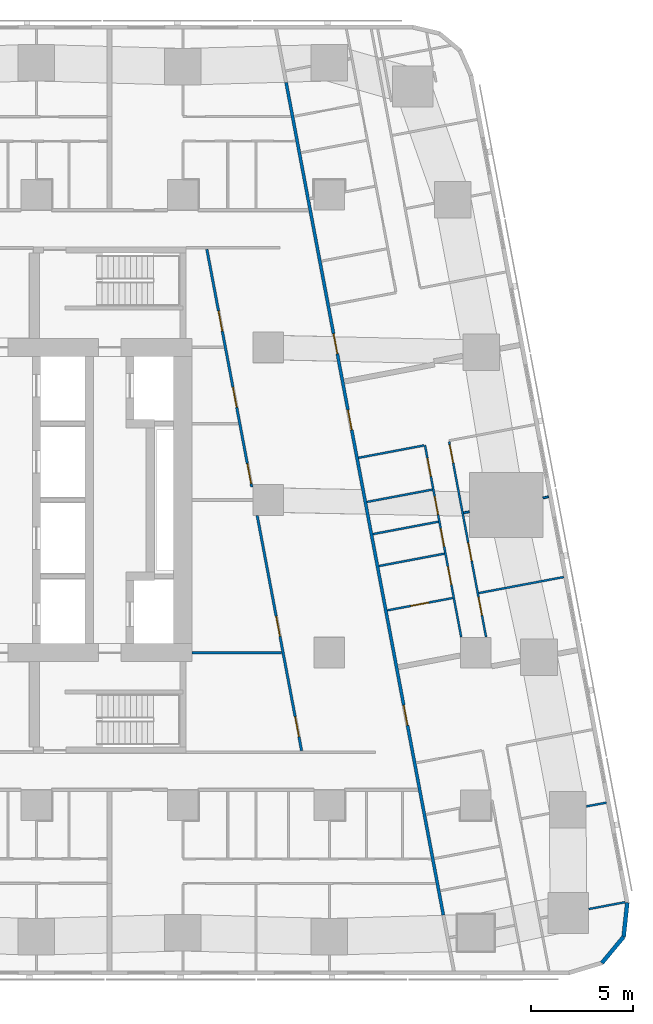
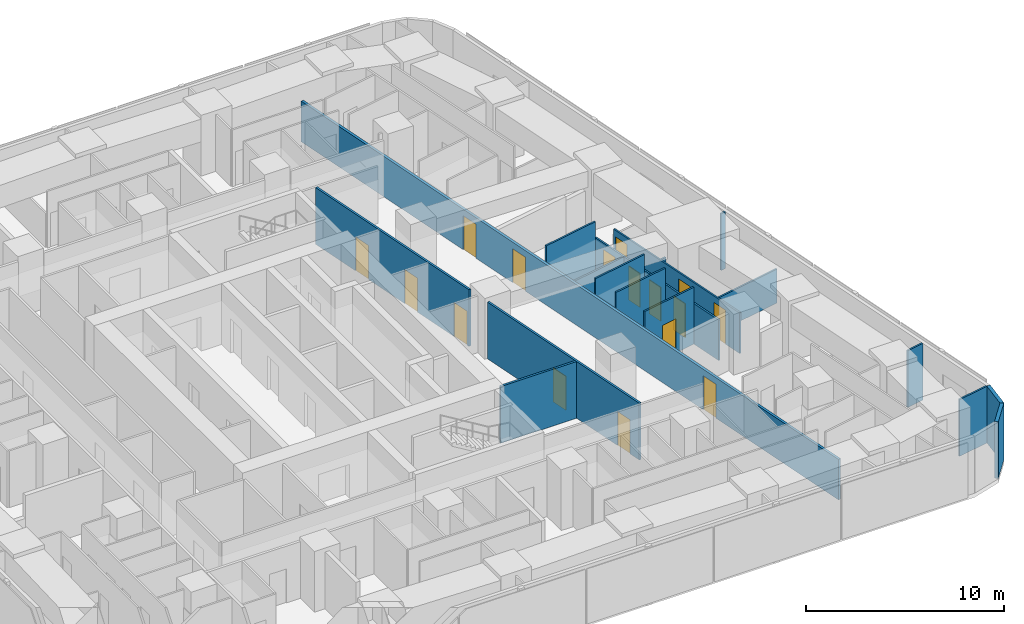
# One storey, part 7 of 15: 18 walls, 16 doors, 16 openings.
"""IFC4 building model written with IfcOpenShell, lengths in metres."""

from ifc_helpers import new_model, si_unit, direction, frame, frame_2d, origin, place, context, subcontext, project, spatial, rectangle, extrude, material, layer, layer_set, type_object, element, fill, save


model = new_model("IFC4")

# Units and contexts
model_context = context("Model", 3, precision=1e-05, world=origin(), true_north=direction((0.0, 1.0)))
body_context = subcontext(model_context, "Body", "Model", "MODEL_VIEW")
ifc_project = project(units=[si_unit("LENGTHUNIT", "METRE"), si_unit("AREAUNIT", "SQUARE_METRE"), si_unit("VOLUMEUNIT", "CUBIC_METRE"), si_unit("PLANEANGLEUNIT", "RADIAN"), si_unit("MASSUNIT", "GRAM", prefix="KILO")], contexts=[model_context])

# Site, building, storey
site_placement = place(None, origin())
site = spatial("IfcSite", under=ifc_project, at=site_placement, CompositionType="ELEMENT")
building_placement = place(site_placement, origin())
building = spatial("IfcBuilding", under=site, at=building_placement, Name="Sheger Commons Tower", CompositionType="ELEMENT")
storey_placement = place(building_placement, frame((0.0, 0.0, 154.550048828125)))
storey = spatial("IfcBuildingStorey", under=building, at=storey_placement, Name="L39", CompositionType="ELEMENT", Elevation=154.550048828125)

# Wall, openings, doors
ifc_material_1 = material(Name="Hollow concrete block masonry, skimmed both sides", Category="masonry")
ifc_layer_1 = layer(ifc_material_1, 0.14990234375)
ifc_layer_set_1 = layer_set([ifc_layer_1], Name="CORRIDOR WALL 150")
wall_type_1 = type_object("IfcWallType", Name="CORRIDOR WALL 150", PredefinedType="SOLIDWALL", material=ifc_layer_set_1)
wall_1_placement = place(storey_placement, frame((33.876953125, 43.029052734375, 0.0), z_axis=(0.0, 0.0, 1.0), x_axis=(0.185596841028, -0.98262597798, 0.0)))
wall_1 = element("IfcWall", 1, at=wall_1_placement, inside=storey, type_object=wall_type_1, Name="Corridor wall L39", PredefinedType="SOLIDWALL", context=body_context, shape_type="SweptSolid", body=[
    extrude(rectangle(XDim=41.659912109375, YDim=0.14990234375, at=frame_2d((20.830078125, 0.0))), origin(), (0.0, 0.0, 1.0), 2.5),
])
opening_1_placement = place(wall_1_placement, frame((12.570068359375, 0.0, 0.0)))
opening_1 = element("IfcOpeningElement", 2, at=opening_1_placement, cuts=wall_1, Name="Opening D1", PredefinedType="OPENING", context=body_context, shape_type="SweptSolid", body=[
    extrude(rectangle(XDim=1.0, YDim=2.10009765625, at=frame_2d((0.5, 1.050048828125))), frame((0.0, 0.0849609375, 0.0), z_axis=(0.0, -1.0, 0.0), x_axis=(1.0, 0.0, 0.0)), (0.0, 0.0, 1.0), 0.169921875),
])
opening_2_placement = place(wall_1_placement, frame((16.385986328125, 0.0, 0.0)))
opening_2 = element("IfcOpeningElement", 3, at=opening_2_placement, cuts=wall_1, Name="Opening D1", PredefinedType="OPENING", context=body_context, shape_type="SweptSolid", body=[
    extrude(rectangle(XDim=1.0, YDim=2.10009765625, at=frame_2d((0.5, 1.050048828125))), frame((0.0, 0.0849609375, 0.0), z_axis=(0.0, -1.0, 0.0), x_axis=(1.0, 0.0, 0.0)), (0.0, 0.0, 1.0), 0.169921875),
])
opening_3_placement = place(wall_1_placement, frame((31.166015625, 0.0, 0.0)))
opening_3 = element("IfcOpeningElement", 4, at=opening_3_placement, cuts=wall_1, Name="Opening D1", PredefinedType="OPENING", context=body_context, shape_type="SweptSolid", body=[
    extrude(rectangle(XDim=1.0, YDim=2.10009765625, at=frame_2d((0.5, 1.050048828125))), frame((0.0, 0.0849609375, 0.0), z_axis=(0.0, -1.0, 0.0), x_axis=(1.0, 0.0, 0.0)), (0.0, 0.0, 1.0), 0.169921875),
])
ifc_material_2 = material(Name="Steel door set, fire rated", Category="steel")
door_type_1 = type_object("IfcDoorType", Name="FLAT ENTRANCE DOOR 1000x2100", OperationType="NOTDEFINED", PredefinedType="DOOR", material=ifc_material_2)
door_1_placement = place(opening_1_placement, origin())
door_1 = element("IfcDoor", 5, at=door_1_placement, inside=storey, type_object=door_type_1, Name="Flat entrance door", OperationType="SINGLE_SWING_RIGHT", OverallHeight=2.10009765625, OverallWidth=1.0, PredefinedType="DOOR", context=body_context, shape_type="SweptSolid", body=[
    extrude(rectangle(XDim=1.0, YDim=2.10009765625, at=frame_2d((0.5, 1.050048828125))), frame((0.0, 0.02490234375, 0.0), z_axis=(0.0, -1.0, 0.0), x_axis=(1.0, 0.0, 0.0)), (0.0, 0.0, 1.0), 0.050048828125),
])
fill(opening_1, door_1)
door_2_placement = place(opening_2_placement, origin())
door_2 = element("IfcDoor", 6, at=door_2_placement, inside=storey, type_object=door_type_1, Name="Flat entrance door", OperationType="SINGLE_SWING_LEFT", OverallHeight=2.10009765625, OverallWidth=1.0, PredefinedType="DOOR", context=body_context, shape_type="SweptSolid", body=[
    extrude(rectangle(XDim=1.0, YDim=2.10009765625, at=frame_2d((0.5, 1.050048828125))), frame((0.0, 0.02490234375, 0.0), z_axis=(0.0, -1.0, 0.0), x_axis=(1.0, 0.0, 0.0)), (0.0, 0.0, 1.0), 0.050048828125),
])
fill(opening_2, door_2)
door_3_placement = place(opening_3_placement, origin())
door_3 = element("IfcDoor", 7, at=door_3_placement, inside=storey, type_object=door_type_1, Name="Flat entrance door", OperationType="SINGLE_SWING_LEFT", OverallHeight=2.10009765625, OverallWidth=1.0, PredefinedType="DOOR", context=body_context, shape_type="SweptSolid", body=[
    extrude(rectangle(XDim=1.0, YDim=2.10009765625, at=frame_2d((0.5, 1.050048828125))), frame((0.0, 0.02490234375, 0.0), z_axis=(0.0, -1.0, 0.0), x_axis=(1.0, 0.0, 0.0)), (0.0, 0.0, 1.0), 0.050048828125),
])
fill(opening_3, door_3)

# Walls
ifc_material_3 = material(Name="Rendered concrete block masonry, dark grey", Category="masonry")
ifc_layer_2 = layer(ifc_material_3, 0.199951171875)
ifc_layer_set_2 = layer_set([ifc_layer_2], Name="FACADE WALL 200")
wall_type_2 = type_object("IfcWallType", Name="FACADE WALL 200", PredefinedType="SOLIDWALL", material=ifc_layer_set_2)
wall_2_placement = place(storey_placement, frame((49.406982421875, -0.262939453125, 0.0), z_axis=(0.0, 0.0, 1.0), x_axis=(0.638042593423, 0.770001070764, 0.0)))
element("IfcWall", 8, at=wall_2_placement, inside=storey, type_object=wall_type_2, Name="Facade wall L39", PredefinedType="SOLIDWALL", context=body_context, shape_type="SweptSolid", body=[
    extrude(rectangle(XDim=1.672607421875, YDim=0.199951171875, at=frame_2d((0.83642578125, 0.0))), origin(), (0.0, 0.0, 1.0), 3.5),
])
wall_3_placement = place(storey_placement, frame((50.47412109375, 1.02490234375, 0.0), z_axis=(0.0, 0.0, 1.0), x_axis=(0.106047815515, 0.994361031429, 0.0)))
element("IfcWall", 9, at=wall_3_placement, inside=storey, type_object=wall_type_2, Name="Facade wall L39", PredefinedType="SOLIDWALL", context=body_context, shape_type="SweptSolid", body=[
    extrude(rectangle(XDim=1.6875, YDim=0.199951171875, at=frame_2d((0.84375, 0.0))), origin(), (0.0, 0.0, 1.0), 3.5),
])

# Wall, openings, doors
ifc_material_4 = material(Name="Gypsum board on steel studs", Category="steel")
ifc_layer_3 = layer(ifc_material_4, 0.10009765625)
ifc_layer_set_3 = layer_set([ifc_layer_3], Name="PARTITION 100")
wall_type_3 = type_object("IfcWallType", Name="PARTITION 100", PredefinedType="PARTITIONING", material=ifc_layer_set_3)
wall_4_placement = place(storey_placement, frame((41.89404296875, 25.365966796875, 0.0), z_axis=(0.0, 0.0, 1.0), x_axis=(0.1856544654, -0.982615092229, 0.0)))
wall_4 = element("IfcWall", 10, at=wall_4_placement, inside=storey, type_object=wall_type_3, Name="Partition L39", PredefinedType="PARTITIONING", context=body_context, shape_type="SweptSolid", body=[
    extrude(rectangle(XDim=9.77587890625, YDim=0.10009765625, at=frame_2d((4.887939453125, 0.0))), origin(), (0.0, 0.0, 1.0), 2.5),
])
opening_4_placement = place(wall_4_placement, frame((0.15087890625, 0.0, 0.0)))
opening_4 = element("IfcOpeningElement", 11, at=opening_4_placement, cuts=wall_4, Name="Opening D2", PredefinedType="OPENING", context=body_context, shape_type="SweptSolid", body=[
    extrude(rectangle(XDim=0.89990234375, YDim=2.10009765625, at=frame_2d((0.449951171875, 1.050048828125))), frame((0.0, 0.06005859375, 0.0), z_axis=(0.0, -1.0, 0.0), x_axis=(1.0, 0.0, 0.0)), (0.0, 0.0, 1.0), 0.1201171875),
])
opening_5_placement = place(wall_4_placement, frame((5.050048828125, 0.0, 0.0)))
opening_5 = element("IfcOpeningElement", 12, at=opening_5_placement, cuts=wall_4, Name="Opening D2", PredefinedType="OPENING", context=body_context, shape_type="SweptSolid", body=[
    extrude(rectangle(XDim=0.89990234375, YDim=2.10009765625, at=frame_2d((0.449951171875, 1.050048828125))), frame((0.0, 0.06005859375, 0.0), z_axis=(0.0, -1.0, 0.0), x_axis=(1.0, 0.0, 0.0)), (0.0, 0.0, 1.0), 0.1201171875),
])
opening_6_placement = place(wall_4_placement, frame((7.782958984375, 0.0, 0.0)))
opening_6 = element("IfcOpeningElement", 13, at=opening_6_placement, cuts=wall_4, Name="Opening D2", PredefinedType="OPENING", context=body_context, shape_type="SweptSolid", body=[
    extrude(rectangle(XDim=0.89990234375, YDim=2.10009765625, at=frame_2d((0.449951171875, 1.050048828125))), frame((0.0, 0.06005859375, 0.0), z_axis=(0.0, -1.0, 0.0), x_axis=(1.0, 0.0, 0.0)), (0.0, 0.0, 1.0), 0.1201171875),
])
ifc_material_5 = material(Name="Timber door set", Category="wood")
door_type_2 = type_object("IfcDoorType", Name="INTERNAL DOOR 900x2100", OperationType="NOTDEFINED", PredefinedType="DOOR", material=ifc_material_5)
door_4_placement = place(opening_4_placement, origin())
door_4 = element("IfcDoor", 14, at=door_4_placement, inside=storey, type_object=door_type_2, Name="Main bedroom door", OperationType="SINGLE_SWING_LEFT", OverallHeight=2.10009765625, OverallWidth=0.89990234375, PredefinedType="DOOR", context=body_context, shape_type="SweptSolid", body=[
    extrude(rectangle(XDim=0.89990234375, YDim=2.10009765625, at=frame_2d((0.449951171875, 1.050048828125))), frame((0.0, 0.02490234375, 0.0), z_axis=(0.0, -1.0, 0.0), x_axis=(1.0, 0.0, 0.0)), (0.0, 0.0, 1.0), 0.050048828125),
])
fill(opening_4, door_4)
door_5_placement = place(opening_5_placement, origin())
door_5 = element("IfcDoor", 15, at=door_5_placement, inside=storey, type_object=door_type_2, Name="Bedroom 2 door", OperationType="SINGLE_SWING_LEFT", OverallHeight=2.10009765625, OverallWidth=0.89990234375, PredefinedType="DOOR", context=body_context, shape_type="SweptSolid", body=[
    extrude(rectangle(XDim=0.89990234375, YDim=2.10009765625, at=frame_2d((0.449951171875, 1.050048828125))), frame((0.0, 0.02490234375, 0.0), z_axis=(0.0, -1.0, 0.0), x_axis=(1.0, 0.0, 0.0)), (0.0, 0.0, 1.0), 0.050048828125),
])
fill(opening_5, door_5)
door_6_placement = place(opening_6_placement, origin())
door_6 = element("IfcDoor", 16, at=door_6_placement, inside=storey, type_object=door_type_2, Name="Bedroom 3 door", OperationType="SINGLE_SWING_LEFT", OverallHeight=2.10009765625, OverallWidth=0.89990234375, PredefinedType="DOOR", context=body_context, shape_type="SweptSolid", body=[
    extrude(rectangle(XDim=0.89990234375, YDim=2.10009765625, at=frame_2d((0.449951171875, 1.050048828125))), frame((0.0, 0.02490234375, 0.0), z_axis=(0.0, -1.0, 0.0), x_axis=(1.0, 0.0, 0.0)), (0.0, 0.0, 1.0), 0.050048828125),
])
fill(opening_6, door_6)

wall_5_placement = place(storey_placement, frame((40.7060546875, 25.19189453125, 0.0), z_axis=(0.0, 0.0, 1.0), x_axis=(0.185610321375, -0.982623431737, 0.0)))
wall_5 = element("IfcWall", 17, at=wall_5_placement, inside=storey, type_object=wall_type_3, Name="Partition L39", PredefinedType="PARTITIONING", context=body_context, shape_type="SweptSolid", body=[
    extrude(rectangle(XDim=9.6005859375, YDim=0.10009765625, at=frame_2d((4.80029296875, 0.0))), origin(), (0.0, 0.0, 1.0), 2.5),
])
opening_7_placement = place(wall_5_placement, frame((0.655029296875, 0.0, 0.0)))
opening_7 = element("IfcOpeningElement", 18, at=opening_7_placement, cuts=wall_5, Name="Opening D2", PredefinedType="OPENING", context=body_context, shape_type="SweptSolid", body=[
    extrude(rectangle(XDim=0.89990234375, YDim=2.10009765625, at=frame_2d((0.449951171875, 1.050048828125))), frame((0.0, 0.06005859375, 0.0), z_axis=(0.0, -1.0, 0.0), x_axis=(1.0, 0.0, 0.0)), (0.0, 0.0, 1.0), 0.1201171875),
])
opening_8_placement = place(wall_5_placement, frame((4.166015625, 0.0, 0.0)))
opening_8 = element("IfcOpeningElement", 19, at=opening_8_placement, cuts=wall_5, Name="Opening D2", PredefinedType="OPENING", context=body_context, shape_type="SweptSolid", body=[
    extrude(rectangle(XDim=0.89990234375, YDim=2.10009765625, at=frame_2d((0.449951171875, 1.050048828125))), frame((0.0, 0.06005859375, 0.0), z_axis=(0.0, -1.0, 0.0), x_axis=(1.0, 0.0, 0.0)), (0.0, 0.0, 1.0), 0.1201171875),
])
opening_9_placement = place(wall_5_placement, frame((2.56298828125, 0.0, 0.0)))
opening_9 = element("IfcOpeningElement", 20, at=opening_9_placement, cuts=wall_5, Name="Opening D2", PredefinedType="OPENING", context=body_context, shape_type="SweptSolid", body=[
    extrude(rectangle(XDim=0.89990234375, YDim=2.10009765625, at=frame_2d((0.449951171875, 1.050048828125))), frame((0.0, 0.06005859375, 0.0), z_axis=(0.0, -1.0, 0.0), x_axis=(1.0, 0.0, 0.0)), (0.0, 0.0, 1.0), 0.1201171875),
])
opening_10_placement = place(wall_5_placement, frame((6.073974609375, 0.0, 0.0)))
opening_10 = element("IfcOpeningElement", 21, at=opening_10_placement, cuts=wall_5, Name="Opening D2", PredefinedType="OPENING", context=body_context, shape_type="SweptSolid", body=[
    extrude(rectangle(XDim=0.89990234375, YDim=2.10009765625, at=frame_2d((0.449951171875, 1.050048828125))), frame((0.0, 0.06005859375, 0.0), z_axis=(0.0, -1.0, 0.0), x_axis=(1.0, 0.0, 0.0)), (0.0, 0.0, 1.0), 0.1201171875),
])
door_7_placement = place(opening_7_placement, origin())
door_7 = element("IfcDoor", 22, at=door_7_placement, inside=storey, type_object=door_type_2, Name="Bathroom door", OperationType="SINGLE_SWING_RIGHT", OverallHeight=2.10009765625, OverallWidth=0.89990234375, PredefinedType="DOOR", context=body_context, shape_type="SweptSolid", body=[
    extrude(rectangle(XDim=0.89990234375, YDim=2.10009765625, at=frame_2d((0.449951171875, 1.050048828125))), frame((0.0, 0.02490234375, 0.0), z_axis=(0.0, -1.0, 0.0), x_axis=(1.0, 0.0, 0.0)), (0.0, 0.0, 1.0), 0.050048828125),
])
fill(opening_7, door_7)
door_8_placement = place(opening_8_placement, origin())
door_8 = element("IfcDoor", 23, at=door_8_placement, inside=storey, type_object=door_type_2, Name="Shower room door", OperationType="SINGLE_SWING_LEFT", OverallHeight=2.10009765625, OverallWidth=0.89990234375, PredefinedType="DOOR", context=body_context, shape_type="SweptSolid", body=[
    extrude(rectangle(XDim=0.89990234375, YDim=2.10009765625, at=frame_2d((0.449951171875, 1.050048828125))), frame((0.0, 0.02490234375, 0.0), z_axis=(0.0, -1.0, 0.0), x_axis=(1.0, 0.0, 0.0)), (0.0, 0.0, 1.0), 0.050048828125),
])
fill(opening_8, door_8)
door_9_placement = place(opening_9_placement, origin())
door_9 = element("IfcDoor", 24, at=door_9_placement, inside=storey, type_object=door_type_2, Name="Store door", OperationType="SINGLE_SWING_LEFT", OverallHeight=2.10009765625, OverallWidth=0.89990234375, PredefinedType="DOOR", context=body_context, shape_type="SweptSolid", body=[
    extrude(rectangle(XDim=0.89990234375, YDim=2.10009765625, at=frame_2d((0.449951171875, 1.050048828125))), frame((0.0, 0.02490234375, 0.0), z_axis=(0.0, -1.0, 0.0), x_axis=(1.0, 0.0, 0.0)), (0.0, 0.0, 1.0), 0.050048828125),
])
fill(opening_9, door_9)
door_10_placement = place(opening_10_placement, origin())
door_10 = element("IfcDoor", 25, at=door_10_placement, inside=storey, type_object=door_type_2, Name="Store door", OperationType="SINGLE_SWING_RIGHT", OverallHeight=2.10009765625, OverallWidth=0.89990234375, PredefinedType="DOOR", context=body_context, shape_type="SweptSolid", body=[
    extrude(rectangle(XDim=0.89990234375, YDim=2.10009765625, at=frame_2d((0.449951171875, 1.050048828125))), frame((0.0, 0.02490234375, 0.0), z_axis=(0.0, -1.0, 0.0), x_axis=(1.0, 0.0, 0.0)), (0.0, 0.0, 1.0), 0.050048828125),
])
fill(opening_10, door_10)

# Walls
wall_6_placement = place(storey_placement, frame((46.781982421875, 22.656982421875, 0.0), z_axis=(0.0, 0.0, 1.0), x_axis=(-0.982574553168, -0.185868898601, 0.0)))
element("IfcWall", 26, at=wall_6_placement, inside=storey, type_object=wall_type_3, Name="Partition L39", PredefinedType="PARTITIONING", context=body_context, shape_type="SweptSolid", body=[
    extrude(rectangle(XDim=0.27978515625, YDim=0.10009765625, at=frame_2d((0.139892578125, 0.0))), origin(), (0.0, 0.0, 1.0), 3.5),
])
wall_7_placement = place(storey_placement, frame((42.886962890625, 21.9208984375, 0.0), z_axis=(0.0, 0.0, 1.0), x_axis=(-0.982688058078, -0.185267861514, 0.0)))
element("IfcWall", 27, at=wall_7_placement, inside=storey, type_object=wall_type_3, Name="Partition L39", PredefinedType="PARTITIONING", context=body_context, shape_type="SweptSolid", body=[
    extrude(rectangle(XDim=0.285888671875, YDim=0.10009765625, at=frame_2d((0.14306640625, 0.0))), origin(), (0.0, 0.0, 1.0), 2.5),
])
wall_8_placement = place(storey_placement, frame((47.527099609375, 18.7119140625, 0.0), z_axis=(0.0, 0.0, 1.0), x_axis=(-0.982665405803, -0.185387972203, 0.0)))
element("IfcWall", 28, at=wall_8_placement, inside=storey, type_object=wall_type_3, Name="Partition L39", PredefinedType="PARTITIONING", context=body_context, shape_type="SweptSolid", body=[
    extrude(rectangle(XDim=4.249755859375, YDim=0.10009765625, at=frame_2d((2.125, 0.0))), origin(), (0.0, 0.0, 1.0), 2.099853515625),
])
for number, where, z_axis, x_axis, name in (
    (29, (40.656982421875, 25.18310546875, 0.0), (0.0, 0.0, 1.0), (-0.982607026909, -0.185697147715, 0.0), "Partition L39"),
    (30, (41.364990234375, 21.43310546875, 0.0), (0.0, 0.0, 1.0), (-0.982607026909, -0.185697147715, 0.0), "Partition L39"),
):
    element("IfcWall", number, at=place(storey_placement, frame(where, z_axis=z_axis, x_axis=x_axis)), inside=storey, type_object=wall_type_3, Name=name, PredefinedType="PARTITIONING", context=body_context, shape_type="SweptSolid", body=[
        extrude(rectangle(XDim=3.27490234375, YDim=0.10009765625, at=frame_2d((1.637451171875, 0.0))), origin(), (0.0, 0.0, 1.0), 3.5),
    ])

# Wall, opening, door
wall_9_placement = place(storey_placement, frame((42.072998046875, 17.681884765625, 0.0), z_axis=(0.0, 0.0, 1.0), x_axis=(-0.982610347627, -0.185679575441, 0.0)))
wall_9 = element("IfcWall", 31, at=wall_9_placement, inside=storey, type_object=wall_type_3, Name="Partition L39", PredefinedType="PARTITIONING", context=body_context, shape_type="SweptSolid", body=[
    extrude(rectangle(XDim=3.27392578125, YDim=0.10009765625, at=frame_2d((1.636962890625, 0.0))), origin(), (0.0, 0.0, 1.0), 3.5),
])
opening_11_placement = place(wall_9_placement, frame((1.199951171875, 0.0, 0.0)))
opening_11 = element("IfcOpeningElement", 32, at=opening_11_placement, cuts=wall_9, Name="Opening D2", PredefinedType="OPENING", context=body_context, shape_type="SweptSolid", body=[
    extrude(rectangle(XDim=0.89990234375, YDim=2.10009765625, at=frame_2d((0.449951171875, 1.050048828125))), frame((0.0, 0.06005859375, 0.0), z_axis=(0.0, -1.0, 0.0), x_axis=(1.0, 0.0, 0.0)), (0.0, 0.0, 1.0), 0.1201171875),
])
door_11_placement = place(opening_11_placement, origin())
door_11 = element("IfcDoor", 33, at=door_11_placement, inside=storey, type_object=door_type_2, Name="Store door", OperationType="SINGLE_SWING_LEFT", OverallHeight=2.10009765625, OverallWidth=0.89990234375, PredefinedType="DOOR", context=body_context, shape_type="SweptSolid", body=[
    extrude(rectangle(XDim=0.89990234375, YDim=2.10009765625, at=frame_2d((0.449951171875, 1.050048828125))), frame((0.0, 0.02490234375, 0.0), z_axis=(0.0, -1.0, 0.0), x_axis=(1.0, 0.0, 0.0)), (0.0, 0.0, 1.0), 0.050048828125),
])
fill(opening_11, door_11)

# Walls
wall_10_placement = place(storey_placement, frame((41.06689453125, 23.010986328125, 0.0), z_axis=(0.0, 0.0, 1.0), x_axis=(-0.982618057925, -0.185638768151, 0.0)))
element("IfcWall", 34, at=wall_10_placement, inside=storey, type_object=wall_type_3, Name="Partition L39", PredefinedType="PARTITIONING", context=body_context, shape_type="SweptSolid", body=[
    extrude(rectangle(XDim=3.274658203125, YDim=0.10009765625, at=frame_2d((1.63720703125, 0.0))), origin(), (0.0, 0.0, 1.0), 2.5),
])
wall_11_placement = place(storey_placement, frame((41.662109375, 19.861083984375, 0.0), z_axis=(0.0, 0.0, 1.0), x_axis=(-0.982607026909, -0.185697147715, 0.0)))
element("IfcWall", 35, at=wall_11_placement, inside=storey, type_object=wall_type_3, Name="Partition L39", PredefinedType="PARTITIONING", context=body_context, shape_type="SweptSolid", body=[
    extrude(rectangle(XDim=3.27490234375, YDim=0.10009765625, at=frame_2d((1.637451171875, 0.0))), origin(), (0.0, 0.0, 1.0), 3.5),
])
wall_12_placement = place(storey_placement, frame((49.6220703125, 7.6201171875, 0.0), z_axis=(0.0, 0.0, 1.0), x_axis=(-0.982708646087, -0.185158626332, 0.0)))
element("IfcWall", 36, at=wall_12_placement, inside=storey, type_object=wall_type_3, Name="Partition L39", PredefinedType="PARTITIONING", context=body_context, shape_type="SweptSolid", body=[
    extrude(rectangle(XDim=0.99951171875, YDim=0.10009765625, at=frame_2d((0.499755859375, 0.0))), origin(), (0.0, 0.0, 1.0), 3.5),
])
wall_13_placement = place(storey_placement, frame((50.547119140625, 2.72607421875, 0.0), z_axis=(0.0, 0.0, 1.0), x_axis=(-0.982603988143, -0.185713226471, 0.0)))
element("IfcWall", 37, at=wall_13_placement, inside=storey, type_object=wall_type_3, Name="Partition L39", PredefinedType="PARTITIONING", context=body_context, shape_type="SweptSolid", body=[
    extrude(rectangle(XDim=1.82080078125, YDim=0.10009765625, at=frame_2d((0.910400390625, 0.0))), origin(), (0.0, 0.0, 1.0), 3.5),
])

# Wall, openings, doors
ifc_material_6 = material(Name="Gypsum board on steel studs, two layers each side, fire rated", Category="steel")
ifc_layer_4 = layer(ifc_material_6, 0.125)
ifc_layer_set_4 = layer_set([ifc_layer_4], Name="SERVICE WALL 125")
wall_type_4 = type_object("IfcWallType", Name="SERVICE WALL 125", PredefinedType="PARTITIONING", material=ifc_layer_set_4)
wall_14_placement = place(storey_placement, frame((34.637939453125, 10.174072265625, 0.0), z_axis=(0.0, 0.0, 1.0), x_axis=(-0.185583626094, 0.982628473903, 0.0)))
wall_14 = element("IfcWall", 38, at=wall_14_placement, inside=storey, type_object=wall_type_4, Name="Service room wall L39", PredefinedType="PARTITIONING", context=body_context, shape_type="SweptSolid", body=[
    extrude(rectangle(XDim=11.767333984375, YDim=0.125, at=frame_2d((5.8837890625, 0.0))), origin(), (0.0, 0.0, 1.0), 3.5),
])
opening_12_placement = place(wall_14_placement, frame((0.697021484375, 0.0, 0.0)))
opening_12 = element("IfcOpeningElement", 39, at=opening_12_placement, cuts=wall_14, Name="Opening D4", PredefinedType="OPENING", context=body_context, shape_type="SweptSolid", body=[
    extrude(rectangle(XDim=1.0, YDim=2.10009765625, at=frame_2d((0.5, 1.050048828125))), frame((0.0, 0.072509765625, 0.0), z_axis=(0.0, -1.0, 0.0), x_axis=(1.0, 0.0, 0.0)), (0.0, 0.0, 1.0), 0.14501953125),
])
opening_13_placement = place(wall_14_placement, frame((5.73388671875, 0.0, 0.0)))
opening_13 = element("IfcOpeningElement", 40, at=opening_13_placement, cuts=wall_14, Name="Opening D4", PredefinedType="OPENING", context=body_context, shape_type="SweptSolid", body=[
    extrude(rectangle(XDim=1.0, YDim=2.10009765625, at=frame_2d((0.5, 1.050048828125))), frame((0.0, 0.072509765625, 0.0), z_axis=(0.0, -1.0, 0.0), x_axis=(1.0, 0.0, 0.0)), (0.0, 0.0, 1.0), 0.14501953125),
])
ifc_material_7 = material(Name="Steel door set, fire rated", Category="steel")
door_type_3 = type_object("IfcDoorType", Name="SERVICE DOOR 1000x2100", OperationType="NOTDEFINED", PredefinedType="DOOR", material=ifc_material_7)
door_12_placement = place(opening_12_placement, origin())
door_12 = element("IfcDoor", 41, at=door_12_placement, inside=storey, type_object=door_type_3, Name="Residents' meeting room door", OperationType="SINGLE_SWING_LEFT", OverallHeight=2.10009765625, OverallWidth=1.0, PredefinedType="DOOR", context=body_context, shape_type="SweptSolid", body=[
    extrude(rectangle(XDim=1.0, YDim=2.10009765625, at=frame_2d((0.5, 1.050048828125))), frame((0.0, 0.02490234375, 0.0), z_axis=(0.0, -1.0, 0.0), x_axis=(1.0, 0.0, 0.0)), (0.0, 0.0, 1.0), 0.050048828125),
])
fill(opening_12, door_12)
door_13_placement = place(opening_13_placement, origin())
door_13 = element("IfcDoor", 42, at=door_13_placement, inside=storey, type_object=door_type_3, Name="Children's play room door", OperationType="SINGLE_SWING_LEFT", OverallHeight=2.10009765625, OverallWidth=1.0, PredefinedType="DOOR", context=body_context, shape_type="SweptSolid", body=[
    extrude(rectangle(XDim=1.0, YDim=2.10009765625, at=frame_2d((0.5, 1.050048828125))), frame((0.0, 0.02490234375, 0.0), z_axis=(0.0, -1.0, 0.0), x_axis=(1.0, 0.0, 0.0)), (0.0, 0.0, 1.0), 0.050048828125),
])
fill(opening_13, door_13)

wall_15_placement = place(storey_placement, frame((32.18798828125, 23.14111328125, 0.0), z_axis=(0.0, 0.0, 1.0), x_axis=(-0.185598625075, 0.98262564101, 0.0)))
wall_15 = element("IfcWall", 43, at=wall_15_placement, inside=storey, type_object=wall_type_4, Name="Service room wall L39", PredefinedType="PARTITIONING", context=body_context, shape_type="SweptSolid", body=[
    extrude(rectangle(XDim=11.891357421875, YDim=0.125, at=frame_2d((5.94580078125, 0.0))), origin(), (0.0, 0.0, 1.0), 3.5),
])
opening_14_placement = place(wall_15_placement, frame((0.1708984375, 0.0, 0.0)))
opening_14 = element("IfcOpeningElement", 44, at=opening_14_placement, cuts=wall_15, Name="Opening D4", PredefinedType="OPENING", context=body_context, shape_type="SweptSolid", body=[
    extrude(rectangle(XDim=1.0, YDim=2.10009765625, at=frame_2d((0.5, 1.050048828125))), frame((0.0, 0.072509765625, 0.0), z_axis=(0.0, -1.0, 0.0), x_axis=(1.0, 0.0, 0.0)), (0.0, 0.0, 1.0), 0.14501953125),
])
opening_15_placement = place(wall_15_placement, frame((3.987060546875, 0.0, 0.0)))
opening_15 = element("IfcOpeningElement", 45, at=opening_15_placement, cuts=wall_15, Name="Opening D4", PredefinedType="OPENING", context=body_context, shape_type="SweptSolid", body=[
    extrude(rectangle(XDim=1.0, YDim=2.10009765625, at=frame_2d((0.5, 1.050048828125))), frame((0.0, 0.072509765625, 0.0), z_axis=(0.0, -1.0, 0.0), x_axis=(1.0, 0.0, 0.0)), (0.0, 0.0, 1.0), 0.14501953125),
])
opening_16_placement = place(wall_15_placement, frame((7.802978515625, 0.0, 0.0)))
opening_16 = element("IfcOpeningElement", 46, at=opening_16_placement, cuts=wall_15, Name="Opening D4", PredefinedType="OPENING", context=body_context, shape_type="SweptSolid", body=[
    extrude(rectangle(XDim=1.0, YDim=2.10009765625, at=frame_2d((0.5, 1.050048828125))), frame((0.0, 0.072509765625, 0.0), z_axis=(0.0, -1.0, 0.0), x_axis=(1.0, 0.0, 0.0)), (0.0, 0.0, 1.0), 0.14501953125),
])
door_14_placement = place(opening_14_placement, origin())
door_14 = element("IfcDoor", 47, at=door_14_placement, inside=storey, type_object=door_type_3, Name="Caretaker's store door", OperationType="SINGLE_SWING_LEFT", OverallHeight=2.10009765625, OverallWidth=1.0, PredefinedType="DOOR", context=body_context, shape_type="SweptSolid", body=[
    extrude(rectangle(XDim=1.0, YDim=2.10009765625, at=frame_2d((0.5, 1.050048828125))), frame((0.0, 0.02490234375, 0.0), z_axis=(0.0, -1.0, 0.0), x_axis=(1.0, 0.0, 0.0)), (0.0, 0.0, 1.0), 0.050048828125),
])
fill(opening_14, door_14)
door_15_placement = place(opening_15_placement, origin())
door_15 = element("IfcDoor", 48, at=door_15_placement, inside=storey, type_object=door_type_3, Name="Residents' store door", OperationType="SINGLE_SWING_LEFT", OverallHeight=2.10009765625, OverallWidth=1.0, PredefinedType="DOOR", context=body_context, shape_type="SweptSolid", body=[
    extrude(rectangle(XDim=1.0, YDim=2.10009765625, at=frame_2d((0.5, 1.050048828125))), frame((0.0, 0.02490234375, 0.0), z_axis=(0.0, -1.0, 0.0), x_axis=(1.0, 0.0, 0.0)), (0.0, 0.0, 1.0), 0.050048828125),
])
fill(opening_15, door_15)
door_16_placement = place(opening_16_placement, origin())
door_16 = element("IfcDoor", 49, at=door_16_placement, inside=storey, type_object=door_type_3, Name="Parcel and delivery room door", OperationType="SINGLE_SWING_LEFT", OverallHeight=2.10009765625, OverallWidth=1.0, PredefinedType="DOOR", context=body_context, shape_type="SweptSolid", body=[
    extrude(rectangle(XDim=1.0, YDim=2.10009765625, at=frame_2d((0.5, 1.050048828125))), frame((0.0, 0.02490234375, 0.0), z_axis=(0.0, -1.0, 0.0), x_axis=(1.0, 0.0, 0.0)), (0.0, 0.0, 1.0), 0.050048828125),
])
fill(opening_16, door_16)

# Wall
wall_16_placement = place(storey_placement, frame((29.25, 15.0, 0.0), z_axis=(0.0, 0.0, 1.0), x_axis=(1.0, 0.0, 0.0)))
element("IfcWall", 50, at=wall_16_placement, inside=storey, type_object=wall_type_4, Name="Service room wall L39", PredefinedType="PARTITIONING", context=body_context, shape_type="SweptSolid", body=[
    extrude(rectangle(XDim=4.4130859375, YDim=0.125, at=frame_2d((2.20654296875, 0.0))), origin(), (0.0, 0.0, 1.0), 3.5),
])

save(model, "model.ifc")
